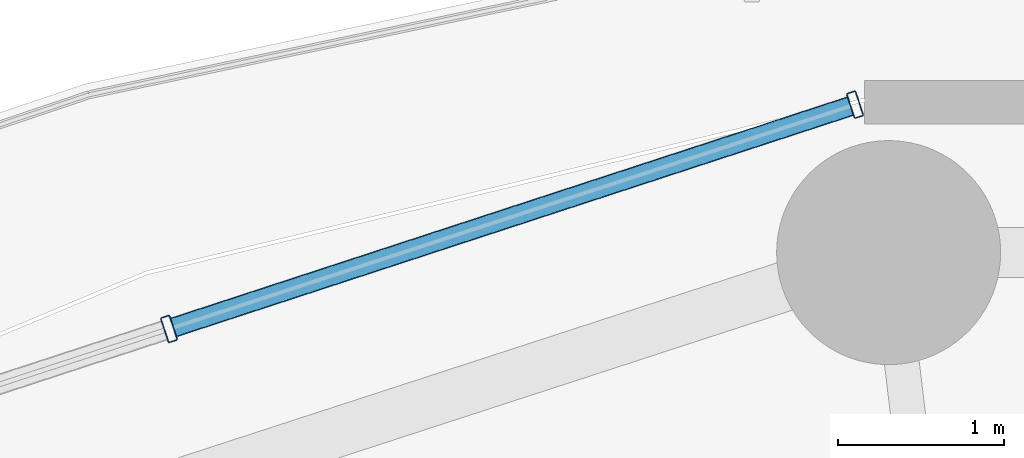
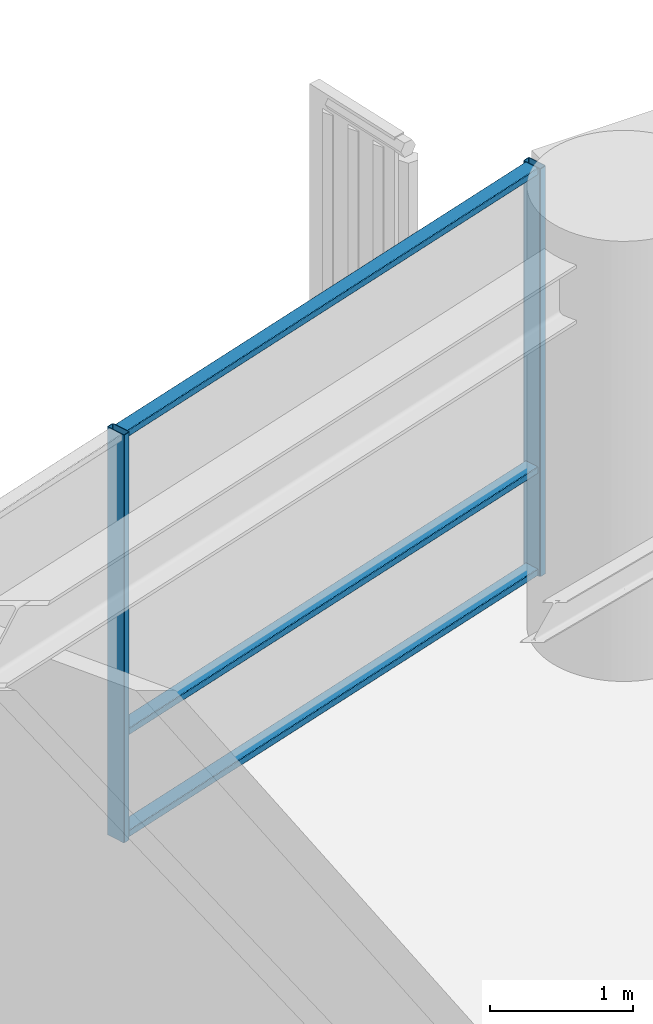
# One storey, part 22 of 35: 5 members, 1 element without a shape of its own.
"""IFC4 building model written with IfcOpenShell, lengths in metres."""

from ifc_helpers import new_model, si_unit, direction, frame, origin, origin_2d, place, context, subcontext, project, spatial, hollow_rectangle, extrude, material, layer, layer_set, material_profile, profile_set, type_object, element, aggregate, save


model = new_model("IFC4")

# Units and contexts
model_context = context("Model", 3, precision=1e-05, world=origin(), true_north=direction((0.0, 1.0)))
body_context = subcontext(model_context, "Body", "Model", "MODEL_VIEW")
ifc_project = project(units=[si_unit("LENGTHUNIT", "METRE"), si_unit("AREAUNIT", "SQUARE_METRE"), si_unit("VOLUMEUNIT", "CUBIC_METRE"), si_unit("PLANEANGLEUNIT", "RADIAN"), si_unit("MASSUNIT", "GRAM", prefix="KILO")], contexts=[model_context])

# Site, building, storey
site_placement = place(None, origin())
site = spatial("IfcSite", under=ifc_project, at=site_placement, CompositionType="ELEMENT")
building_placement = place(site_placement, origin())
building = spatial("IfcBuilding", under=site, at=building_placement, Name="Kelanora Arch Commons", CompositionType="ELEMENT")
storey_placement = place(building_placement, frame((0.0, 0.0, 121.35009765625)))
storey = spatial("IfcBuildingStorey", under=building, at=storey_placement, Name="L31", CompositionType="ELEMENT", Elevation=121.35009765625)

# Curtain wall, members
ifc_material_1 = material(Name="Terracotta ceramic-fritted low-E glass and aluminium", Category="masonry")
ifc_layer = layer(ifc_material_1, 0.159912109375)
ifc_layer_set = layer_set([ifc_layer], Name="Terracotta ceramic-fritted low-E glass and aluminium")
curtain_wall_type = type_object("IfcCurtainWallType", Name="CW-SYS-01", PredefinedType="NOTDEFINED", material=ifc_layer_set)
curtain_wall_placement = place(storey_placement, origin())
curtain_wall = element("IfcCurtainWall", 1, at=curtain_wall_placement, inside=storey, type_object=curtain_wall_type, Name="Unitised Curtain Wall L31-B05", PredefinedType="NOTDEFINED")
ifc_material_2 = material(Name="Powder-coated aluminium terracotta", Category="masonry")
ifc_material_profile_1 = material_profile(ifc_material_2, hollow_rectangle(XDim=0.159912109375, YDim=0.06005859375, WallThickness=0.0048828125, InnerFilletRadius=0.0048828125, OuterFilletRadius=0.010009765625, at=origin_2d()), Name="CWM160x60")
ifc_profile_set_1 = profile_set([ifc_material_profile_1], Name="Powder-coated aluminium terracotta")
member_type_1 = type_object("IfcMemberType", Name="CWM-STD", PredefinedType="MULLION", material=ifc_profile_set_1)
member_1_placement = place(storey_placement, frame((69.51171875, 80.636474609375, 0.0), z_axis=(0.0, 0.0, 1.0), x_axis=(0.31080470294, -0.950473795867, 0.0)))
member_1 = element("IfcMember", 2, at=member_1_placement, type_object=member_type_1, Name="CW-01 mullion 1", PredefinedType="MULLION", context=body_context, shape_type="SweptSolid", body=[
    extrude(hollow_rectangle(XDim=0.159912109375, YDim=0.06005859375, WallThickness=0.0048828125, InnerFilletRadius=0.0048828125, OuterFilletRadius=0.010009765625, at=origin_2d()), origin(), (0.0, 0.0, 1.0), 3.474853515625),
])
member_2_placement = place(storey_placement, frame((65.377197265625, 79.28466796875, 0.0), z_axis=(0.0, 0.0, 1.0), x_axis=(0.31080470294, -0.950473795867, 0.0)))
member_2 = element("IfcMember", 3, at=member_2_placement, type_object=member_type_1, Name="CW-01 mullion 2", PredefinedType="MULLION", context=body_context, shape_type="SweptSolid", body=[
    extrude(hollow_rectangle(XDim=0.159912109375, YDim=0.06005859375, WallThickness=0.0048828125, InnerFilletRadius=0.0048828125, OuterFilletRadius=0.010009765625, at=origin_2d()), origin(), (0.0, 0.0, 1.0), 3.474853515625),
])
ifc_material_profile_2 = material_profile(ifc_material_2, hollow_rectangle(XDim=0.1201171875, YDim=0.06005859375, WallThickness=0.0048828125, InnerFilletRadius=0.0048828125, OuterFilletRadius=0.010009765625, at=origin_2d()), Name="CWT120x60")
ifc_profile_set_2 = profile_set([ifc_material_profile_2], Name="Powder-coated aluminium terracotta")
member_type_2 = type_object("IfcMemberType", Name="CWT-STD", PredefinedType="USERDEFINED", material=ifc_profile_set_2)
member_3_placement = place(storey_placement, frame((69.483154296875, 80.627197265625, 0.02978515625), z_axis=(-0.950477544745, -0.31079323824, 0.0), x_axis=(0.31079323824, -0.950477544745, 0.0)))
member_3 = element("IfcMember", 4, at=member_3_placement, type_object=member_type_2, Name="CW-01 transom 1.1", ObjectType="TRANSOM", PredefinedType="USERDEFINED", context=body_context, shape_type="SweptSolid", body=[
    extrude(hollow_rectangle(XDim=0.1201171875, YDim=0.06005859375, WallThickness=0.0048828125, InnerFilletRadius=0.0048828125, OuterFilletRadius=0.010009765625, at=origin_2d()), origin(), (0.0, 0.0, 1.0), 4.289794921875),
])
member_4_placement = place(storey_placement, frame((69.483154296875, 80.627197265625, 0.89990234375), z_axis=(-0.950477544745, -0.31079323824, 0.0), x_axis=(0.31079323824, -0.950477544745, 0.0)))
member_4 = element("IfcMember", 5, at=member_4_placement, type_object=member_type_2, Name="CW-01 transom 1.2", ObjectType="TRANSOM", PredefinedType="USERDEFINED", context=body_context, shape_type="SweptSolid", body=[
    extrude(hollow_rectangle(XDim=0.1201171875, YDim=0.06005859375, WallThickness=0.0048828125, InnerFilletRadius=0.0048828125, OuterFilletRadius=0.010009765625, at=origin_2d()), origin(), (0.0, 0.0, 1.0), 4.289794921875),
])
member_5_placement = place(storey_placement, frame((69.483154296875, 80.627197265625, 3.44482421875), z_axis=(-0.950477544745, -0.31079323824, 0.0), x_axis=(0.31079323824, -0.950477544745, 0.0)))
member_5 = element("IfcMember", 6, at=member_5_placement, type_object=member_type_2, Name="CW-01 transom 1.3", ObjectType="TRANSOM", PredefinedType="USERDEFINED", context=body_context, shape_type="SweptSolid", body=[
    extrude(hollow_rectangle(XDim=0.1201171875, YDim=0.06005859375, WallThickness=0.0048828125, InnerFilletRadius=0.0048828125, OuterFilletRadius=0.010009765625, at=origin_2d()), origin(), (0.0, 0.0, 1.0), 4.289794921875),
])
aggregate(curtain_wall, [member_1, member_2, member_3, member_4, member_5])

save(model, "model.ifc")
